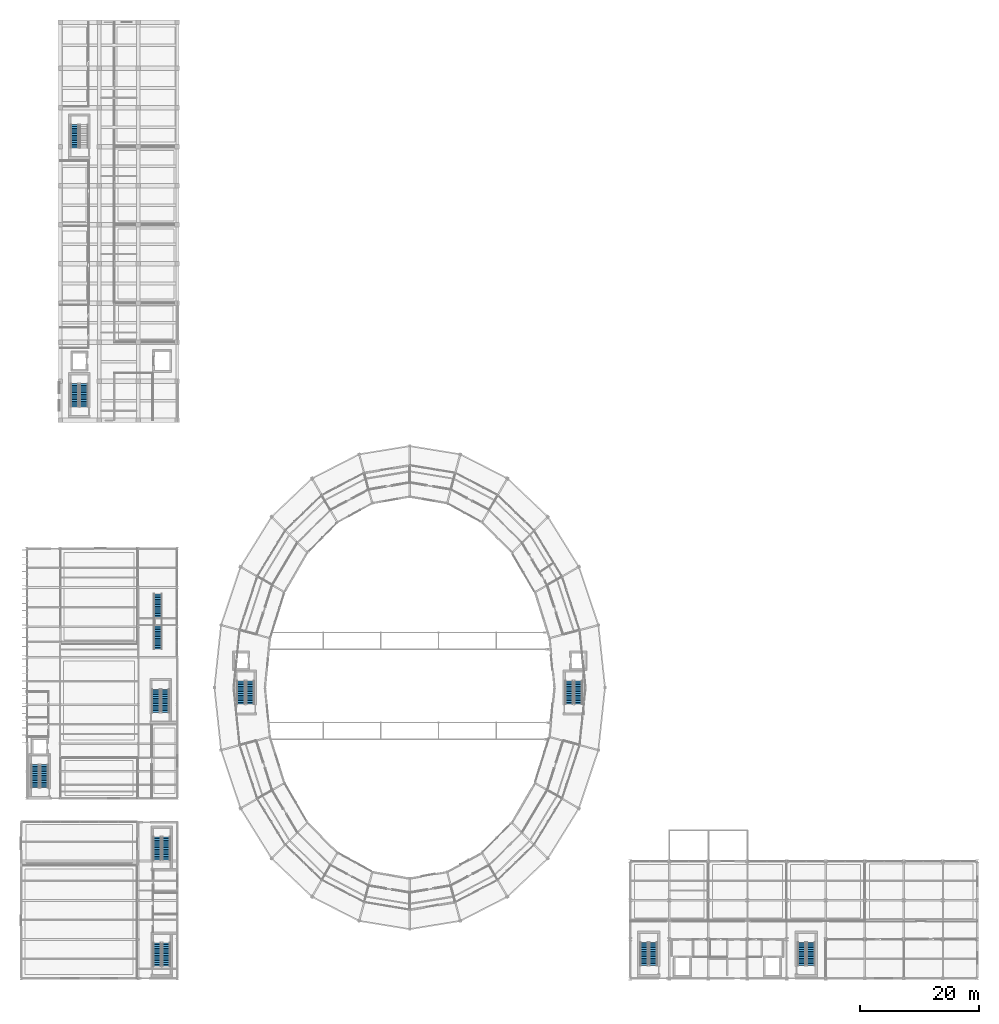
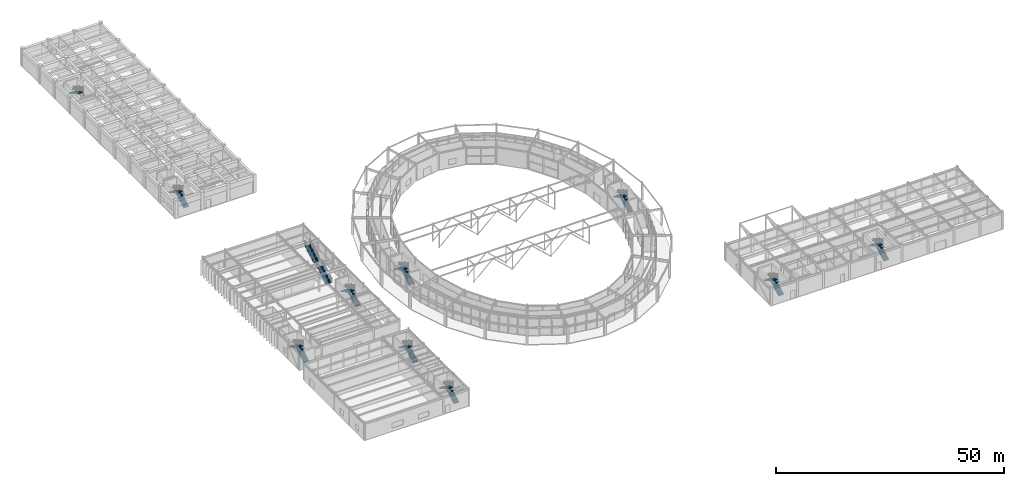
# One storey, part 131 of 144: 21 stair flights, 11 elements without a shape of their own.
"""IFC4 building model written with IfcOpenShell, lengths in metres."""

from ifc_helpers import new_model, si_unit, direction, frame, origin, place, context, subcontext, project, spatial, polyline, outline, extrude, material, type_object, element, aggregate, save


model = new_model("IFC4")

# Units and contexts
model_context = context("Model", 3, precision=1e-05, world=origin(), true_north=direction((0.0, 1.0)))
body_context = subcontext(model_context, "Body", "Model", "MODEL_VIEW")
ifc_project = project(units=[si_unit("LENGTHUNIT", "METRE"), si_unit("AREAUNIT", "SQUARE_METRE"), si_unit("VOLUMEUNIT", "CUBIC_METRE"), si_unit("PLANEANGLEUNIT", "RADIAN"), si_unit("MASSUNIT", "GRAM", prefix="KILO")], contexts=[model_context])

# Site, building, storey
site_placement = place(None, origin())
site = spatial("IfcSite", under=ifc_project, at=site_placement, CompositionType="ELEMENT")
building_placement = place(site_placement, origin())
building = spatial("IfcBuilding", under=site, at=building_placement, Name="Karori Crest Natural Sciences Institute", CompositionType="ELEMENT")
storey_placement = place(building_placement, origin())
storey = spatial("IfcBuildingStorey", under=building, at=storey_placement, Name="L00", CompositionType="ELEMENT", Elevation=0.0)

# Stair, stair flights
ifc_material = material(Name="Concrete 40 MPa", Category="concrete")
stair_type_1 = type_object("IfcStairType", Name="STT-02", PredefinedType="HALF_TURN_STAIR", material=ifc_material)
stair_1_placement = place(storey_placement, origin())
stair_1 = element("IfcStair", 1, at=stair_1_placement, inside=storey, type_object=stair_type_1, Name="Protected stair ST-01-L00", PredefinedType="HALF_TURN_STAIR")
stair_flight_type = type_object("IfcStairFlightType", Name="SFT-02", PredefinedType="STRAIGHT", material=ifc_material)
stair_flight_1_placement = place(storey_placement, frame((94.875, 47.10009765625, 0.0), z_axis=(0.0, 0.0, 1.0), x_axis=(0.0, 1.0, 0.0)))
stair_flight_1 = element("IfcStairFlight", 2, at=stair_flight_1_placement, type_object=stair_flight_type, Name="ST-01-L00 flight 1", NumberOfRisers=14, NumberOfTreads=13, PredefinedType="STRAIGHT", RiserHeight=0.175, TreadLength=0.3, context=body_context, shape_type="SweptSolid", body=[
    extrude(outline(polyline([(0.0, 0.0), (0.0, 0.175048828125), (0.300048828125, 0.175048828125), (0.300048828125, 0.35009765625), (0.60009765625, 0.35009765625), (0.60009765625, 0.52490234375), (0.89990234375, 0.52490234375), (0.89990234375, 0.699951171875), (1.199951171875, 0.699951171875), (1.199951171875, 0.875), (1.5, 0.875), (1.5, 1.050048828125), (1.800048828125, 1.050048828125), (1.800048828125, 1.22509765625), (2.10009765625, 1.22509765625), (2.10009765625, 1.39990234375), (2.39990234375, 1.39990234375), (2.39990234375, 1.574951171875), (2.699951171875, 1.574951171875), (2.699951171875, 1.75), (3.0, 1.75), (3.0, 1.925048828125), (3.300048828125, 1.925048828125), (3.300048828125, 2.10009765625), (3.60009765625, 2.10009765625), (3.60009765625, 2.27490234375), (3.89990234375, 2.27490234375), (3.89990234375, 2.449951171875), (3.89990234375, 2.08984375), (0.3173828125, 0.0), (0.0, 0.0)])), frame((0.0, 0.675048828125, 0.0), z_axis=(0.0, -1.0, 0.0), x_axis=(1.0, 0.0, 0.0)), (0.0, 0.0, 1.0), 1.35009765625),
])
stair_flight_2_placement = place(storey_placement, frame((93.324951171875, 51.0, 2.449951171875), z_axis=(0.0, 0.0, 1.0), x_axis=(0.0, -1.0, 0.0)))
stair_flight_2 = element("IfcStairFlight", 3, at=stair_flight_2_placement, type_object=stair_flight_type, Name="ST-01-L00 flight 2", NumberOfRisers=14, NumberOfTreads=13, PredefinedType="STRAIGHT", RiserHeight=0.175, TreadLength=0.3, context=body_context, shape_type="SweptSolid", body=[
    extrude(outline(polyline([(0.0, 0.0), (0.0, 0.175048828125), (0.300048828125, 0.175048828125), (0.300048828125, 0.35009765625), (0.60009765625, 0.35009765625), (0.60009765625, 0.52490234375), (0.89990234375, 0.52490234375), (0.89990234375, 0.699951171875), (1.199951171875, 0.699951171875), (1.199951171875, 0.875), (1.5, 0.875), (1.5, 1.050048828125), (1.800048828125, 1.050048828125), (1.800048828125, 1.22509765625), (2.10009765625, 1.22509765625), (2.10009765625, 1.39990234375), (2.39990234375, 1.39990234375), (2.39990234375, 1.574951171875), (2.699951171875, 1.574951171875), (2.699951171875, 1.75), (3.0, 1.75), (3.0, 1.925048828125), (3.300048828125, 1.925048828125), (3.300048828125, 2.10009765625), (3.60009765625, 2.10009765625), (3.60009765625, 2.27490234375), (3.89990234375, 2.27490234375), (3.89990234375, 2.449951171875), (3.89990234375, 2.08984375), (0.3173828125, 0.0), (0.0, 0.0)])), frame((0.0, 0.675048828125, 0.0), z_axis=(0.0, -1.0, 0.0), x_axis=(1.0, 0.0, 0.0)), (0.0, 0.0, 1.0), 1.35009765625),
])
aggregate(stair_1, [stair_flight_1, stair_flight_2])

stair_2_placement = place(storey_placement, origin())
stair_2 = element("IfcStair", 4, at=stair_2_placement, inside=storey, type_object=stair_type_1, Name="Protected stair ST-02-L00", PredefinedType="HALF_TURN_STAIR")
stair_flight_3_placement = place(storey_placement, frame((39.47509765625, 47.10009765625, 0.0), z_axis=(0.0, 0.0, 1.0), x_axis=(0.0, 1.0, 0.0)))
stair_flight_3 = element("IfcStairFlight", 5, at=stair_flight_3_placement, type_object=stair_flight_type, Name="ST-02-L00 flight 1", NumberOfRisers=14, NumberOfTreads=13, PredefinedType="STRAIGHT", RiserHeight=0.175, TreadLength=0.3, context=body_context, shape_type="SweptSolid", body=[
    extrude(outline(polyline([(0.0, 0.0), (0.0, 0.175048828125), (0.300048828125, 0.175048828125), (0.300048828125, 0.35009765625), (0.60009765625, 0.35009765625), (0.60009765625, 0.52490234375), (0.89990234375, 0.52490234375), (0.89990234375, 0.699951171875), (1.199951171875, 0.699951171875), (1.199951171875, 0.875), (1.5, 0.875), (1.5, 1.050048828125), (1.800048828125, 1.050048828125), (1.800048828125, 1.22509765625), (2.10009765625, 1.22509765625), (2.10009765625, 1.39990234375), (2.39990234375, 1.39990234375), (2.39990234375, 1.574951171875), (2.699951171875, 1.574951171875), (2.699951171875, 1.75), (3.0, 1.75), (3.0, 1.925048828125), (3.300048828125, 1.925048828125), (3.300048828125, 2.10009765625), (3.60009765625, 2.10009765625), (3.60009765625, 2.27490234375), (3.89990234375, 2.27490234375), (3.89990234375, 2.449951171875), (3.89990234375, 2.08984375), (0.3173828125, 0.0), (0.0, 0.0)])), frame((0.0, 0.675048828125, 0.0), z_axis=(0.0, -1.0, 0.0), x_axis=(1.0, 0.0, 0.0)), (0.0, 0.0, 1.0), 1.35009765625),
])
stair_flight_4_placement = place(storey_placement, frame((37.925048828125, 51.0, 2.449951171875), z_axis=(0.0, 0.0, 1.0), x_axis=(0.0, -1.0, 0.0)))
stair_flight_4 = element("IfcStairFlight", 6, at=stair_flight_4_placement, type_object=stair_flight_type, Name="ST-02-L00 flight 2", NumberOfRisers=14, NumberOfTreads=13, PredefinedType="STRAIGHT", RiserHeight=0.175, TreadLength=0.3, context=body_context, shape_type="SweptSolid", body=[
    extrude(outline(polyline([(0.0, 0.0), (0.0, 0.175048828125), (0.300048828125, 0.175048828125), (0.300048828125, 0.35009765625), (0.60009765625, 0.35009765625), (0.60009765625, 0.52490234375), (0.89990234375, 0.52490234375), (0.89990234375, 0.699951171875), (1.199951171875, 0.699951171875), (1.199951171875, 0.875), (1.5, 0.875), (1.5, 1.050048828125), (1.800048828125, 1.050048828125), (1.800048828125, 1.22509765625), (2.10009765625, 1.22509765625), (2.10009765625, 1.39990234375), (2.39990234375, 1.39990234375), (2.39990234375, 1.574951171875), (2.699951171875, 1.574951171875), (2.699951171875, 1.75), (3.0, 1.75), (3.0, 1.925048828125), (3.300048828125, 1.925048828125), (3.300048828125, 2.10009765625), (3.60009765625, 2.10009765625), (3.60009765625, 2.27490234375), (3.89990234375, 2.27490234375), (3.89990234375, 2.449951171875), (3.89990234375, 2.08984375), (0.3173828125, 0.0), (0.0, 0.0)])), frame((0.0, 0.675048828125, 0.0), z_axis=(0.0, -1.0, 0.0), x_axis=(1.0, 0.0, 0.0)), (0.0, 0.0, 1.0), 1.35009765625),
])
aggregate(stair_2, [stair_flight_3, stair_flight_4])

stair_3_placement = place(storey_placement, origin())
stair_3 = element("IfcStair", 7, at=stair_3_placement, inside=storey, type_object=stair_type_1, Name="Protected stair ST-03-L00", PredefinedType="HALF_TURN_STAIR")
stair_flight_5_placement = place(storey_placement, frame((107.52490234375, 3.0, 0.0), z_axis=(0.0, 0.0, 1.0), x_axis=(0.0, 1.0, 0.0)))
stair_flight_5 = element("IfcStairFlight", 8, at=stair_flight_5_placement, type_object=stair_flight_type, Name="ST-03-L00 flight 1", NumberOfRisers=14, NumberOfTreads=13, PredefinedType="STRAIGHT", RiserHeight=0.175, TreadLength=0.3, context=body_context, shape_type="SweptSolid", body=[
    extrude(outline(polyline([(0.0, 0.0), (0.0, 0.175048828125), (0.300048828125, 0.175048828125), (0.300048828125, 0.35009765625), (0.60009765625, 0.35009765625), (0.60009765625, 0.52490234375), (0.89990234375, 0.52490234375), (0.89990234375, 0.699951171875), (1.199951171875, 0.699951171875), (1.199951171875, 0.875), (1.5, 0.875), (1.5, 1.050048828125), (1.800048828125, 1.050048828125), (1.800048828125, 1.22509765625), (2.10009765625, 1.22509765625), (2.10009765625, 1.39990234375), (2.39990234375, 1.39990234375), (2.39990234375, 1.574951171875), (2.699951171875, 1.574951171875), (2.699951171875, 1.75), (3.0, 1.75), (3.0, 1.925048828125), (3.300048828125, 1.925048828125), (3.300048828125, 2.10009765625), (3.60009765625, 2.10009765625), (3.60009765625, 2.27490234375), (3.89990234375, 2.27490234375), (3.89990234375, 2.449951171875), (3.89990234375, 2.08984375), (0.3173828125, 0.0), (0.0, 0.0)])), frame((0.0, 0.675048828125, 0.0), z_axis=(0.0, -1.0, 0.0), x_axis=(1.0, 0.0, 0.0)), (0.0, 0.0, 1.0), 1.35009765625),
])
stair_flight_6_placement = place(storey_placement, frame((105.97509765625, 6.89990234375, 2.449951171875), z_axis=(0.0, 0.0, 1.0), x_axis=(0.0, -1.0, 0.0)))
stair_flight_6 = element("IfcStairFlight", 9, at=stair_flight_6_placement, type_object=stair_flight_type, Name="ST-03-L00 flight 2", NumberOfRisers=14, NumberOfTreads=13, PredefinedType="STRAIGHT", RiserHeight=0.175, TreadLength=0.3, context=body_context, shape_type="SweptSolid", body=[
    extrude(outline(polyline([(0.0, 0.0), (0.0, 0.175048828125), (0.300048828125, 0.175048828125), (0.300048828125, 0.35009765625), (0.60009765625, 0.35009765625), (0.60009765625, 0.52490234375), (0.89990234375, 0.52490234375), (0.89990234375, 0.699951171875), (1.199951171875, 0.699951171875), (1.199951171875, 0.875), (1.5, 0.875), (1.5, 1.050048828125), (1.800048828125, 1.050048828125), (1.800048828125, 1.22509765625), (2.10009765625, 1.22509765625), (2.10009765625, 1.39990234375), (2.39990234375, 1.39990234375), (2.39990234375, 1.574951171875), (2.699951171875, 1.574951171875), (2.699951171875, 1.75), (3.0, 1.75), (3.0, 1.925048828125), (3.300048828125, 1.925048828125), (3.300048828125, 2.10009765625), (3.60009765625, 2.10009765625), (3.60009765625, 2.27490234375), (3.89990234375, 2.27490234375), (3.89990234375, 2.449951171875), (3.89990234375, 2.08984375), (0.3173828125, 0.0), (0.0, 0.0)])), frame((0.0, 0.675048828125, 0.0), z_axis=(0.0, -1.0, 0.0), x_axis=(1.0, 0.0, 0.0)), (0.0, 0.0, 1.0), 1.35009765625),
])
aggregate(stair_3, [stair_flight_5, stair_flight_6])

stair_4_placement = place(storey_placement, origin())
stair_4 = element("IfcStair", 10, at=stair_4_placement, inside=storey, type_object=stair_type_1, Name="Protected stair ST-04-L00", PredefinedType="HALF_TURN_STAIR")
stair_flight_7_placement = place(storey_placement, frame((134.125, 3.0, 0.0), z_axis=(0.0, 0.0, 1.0), x_axis=(0.0, 1.0, 0.0)))
stair_flight_7 = element("IfcStairFlight", 11, at=stair_flight_7_placement, type_object=stair_flight_type, Name="ST-04-L00 flight 1", NumberOfRisers=14, NumberOfTreads=13, PredefinedType="STRAIGHT", RiserHeight=0.175, TreadLength=0.3, context=body_context, shape_type="SweptSolid", body=[
    extrude(outline(polyline([(0.0, 0.0), (0.0, 0.175048828125), (0.300048828125, 0.175048828125), (0.300048828125, 0.35009765625), (0.60009765625, 0.35009765625), (0.60009765625, 0.52490234375), (0.89990234375, 0.52490234375), (0.89990234375, 0.699951171875), (1.199951171875, 0.699951171875), (1.199951171875, 0.875), (1.5, 0.875), (1.5, 1.050048828125), (1.800048828125, 1.050048828125), (1.800048828125, 1.22509765625), (2.10009765625, 1.22509765625), (2.10009765625, 1.39990234375), (2.39990234375, 1.39990234375), (2.39990234375, 1.574951171875), (2.699951171875, 1.574951171875), (2.699951171875, 1.75), (3.0, 1.75), (3.0, 1.925048828125), (3.300048828125, 1.925048828125), (3.300048828125, 2.10009765625), (3.60009765625, 2.10009765625), (3.60009765625, 2.27490234375), (3.89990234375, 2.27490234375), (3.89990234375, 2.449951171875), (3.89990234375, 2.08984375), (0.3173828125, 0.0), (0.0, 0.0)])), frame((0.0, 0.675048828125, 0.0), z_axis=(0.0, -1.0, 0.0), x_axis=(1.0, 0.0, 0.0)), (0.0, 0.0, 1.0), 1.35009765625),
])
stair_flight_8_placement = place(storey_placement, frame((132.574951171875, 6.89990234375, 2.449951171875), z_axis=(0.0, 0.0, 1.0), x_axis=(0.0, -1.0, 0.0)))
stair_flight_8 = element("IfcStairFlight", 12, at=stair_flight_8_placement, type_object=stair_flight_type, Name="ST-04-L00 flight 2", NumberOfRisers=14, NumberOfTreads=13, PredefinedType="STRAIGHT", RiserHeight=0.175, TreadLength=0.3, context=body_context, shape_type="SweptSolid", body=[
    extrude(outline(polyline([(0.0, 0.0), (0.0, 0.175048828125), (0.300048828125, 0.175048828125), (0.300048828125, 0.35009765625), (0.60009765625, 0.35009765625), (0.60009765625, 0.52490234375), (0.89990234375, 0.52490234375), (0.89990234375, 0.699951171875), (1.199951171875, 0.699951171875), (1.199951171875, 0.875), (1.5, 0.875), (1.5, 1.050048828125), (1.800048828125, 1.050048828125), (1.800048828125, 1.22509765625), (2.10009765625, 1.22509765625), (2.10009765625, 1.39990234375), (2.39990234375, 1.39990234375), (2.39990234375, 1.574951171875), (2.699951171875, 1.574951171875), (2.699951171875, 1.75), (3.0, 1.75), (3.0, 1.925048828125), (3.300048828125, 1.925048828125), (3.300048828125, 2.10009765625), (3.60009765625, 2.10009765625), (3.60009765625, 2.27490234375), (3.89990234375, 2.27490234375), (3.89990234375, 2.449951171875), (3.89990234375, 2.08984375), (0.3173828125, 0.0), (0.0, 0.0)])), frame((0.0, 0.675048828125, 0.0), z_axis=(0.0, -1.0, 0.0), x_axis=(1.0, 0.0, 0.0)), (0.0, 0.0, 1.0), 1.35009765625),
])
aggregate(stair_4, [stair_flight_7, stair_flight_8])

stair_5_placement = place(storey_placement, origin())
stair_5 = element("IfcStair", 13, at=stair_5_placement, inside=storey, type_object=stair_type_1, Name="Protected stair ST-05-L00", PredefinedType="HALF_TURN_STAIR")
stair_flight_9_placement = place(storey_placement, frame((11.425048828125, 97.300048828125, 0.0), z_axis=(0.0, 0.0, 1.0), x_axis=(0.0, 1.0, 0.0)))
stair_flight_9 = element("IfcStairFlight", 14, at=stair_flight_9_placement, type_object=stair_flight_type, Name="ST-05-L00 flight 1", NumberOfRisers=14, NumberOfTreads=13, PredefinedType="STRAIGHT", RiserHeight=0.175, TreadLength=0.3, context=body_context, shape_type="SweptSolid", body=[
    extrude(outline(polyline([(0.0, 0.0), (0.0, 0.175048828125), (0.300048828125, 0.175048828125), (0.300048828125, 0.35009765625), (0.60009765625, 0.35009765625), (0.60009765625, 0.52490234375), (0.89990234375, 0.52490234375), (0.89990234375, 0.699951171875), (1.199951171875, 0.699951171875), (1.199951171875, 0.875), (1.5, 0.875), (1.5, 1.050048828125), (1.800048828125, 1.050048828125), (1.800048828125, 1.22509765625), (2.10009765625, 1.22509765625), (2.10009765625, 1.39990234375), (2.39990234375, 1.39990234375), (2.39990234375, 1.574951171875), (2.699951171875, 1.574951171875), (2.699951171875, 1.75), (3.0, 1.75), (3.0, 1.925048828125), (3.300048828125, 1.925048828125), (3.300048828125, 2.10009765625), (3.60009765625, 2.10009765625), (3.60009765625, 2.27490234375), (3.89990234375, 2.27490234375), (3.89990234375, 2.449951171875), (3.89990234375, 2.08984375), (0.3173828125, 0.0), (0.0, 0.0)])), frame((0.0, 0.675048828125, 0.0), z_axis=(0.0, -1.0, 0.0), x_axis=(1.0, 0.0, 0.0)), (0.0, 0.0, 1.0), 1.35009765625),
])
stair_flight_10_placement = place(storey_placement, frame((9.875, 101.199951171875, 2.449951171875), z_axis=(0.0, 0.0, 1.0), x_axis=(0.0, -1.0, 0.0)))
stair_flight_10 = element("IfcStairFlight", 15, at=stair_flight_10_placement, type_object=stair_flight_type, Name="ST-05-L00 flight 2", NumberOfRisers=14, NumberOfTreads=13, PredefinedType="STRAIGHT", RiserHeight=0.175, TreadLength=0.3, context=body_context, shape_type="SweptSolid", body=[
    extrude(outline(polyline([(0.0, 0.0), (0.0, 0.175048828125), (0.300048828125, 0.175048828125), (0.300048828125, 0.35009765625), (0.60009765625, 0.35009765625), (0.60009765625, 0.52490234375), (0.89990234375, 0.52490234375), (0.89990234375, 0.699951171875), (1.199951171875, 0.699951171875), (1.199951171875, 0.875), (1.5, 0.875), (1.5, 1.050048828125), (1.800048828125, 1.050048828125), (1.800048828125, 1.22509765625), (2.10009765625, 1.22509765625), (2.10009765625, 1.39990234375), (2.39990234375, 1.39990234375), (2.39990234375, 1.574951171875), (2.699951171875, 1.574951171875), (2.699951171875, 1.75), (3.0, 1.75), (3.0, 1.925048828125), (3.300048828125, 1.925048828125), (3.300048828125, 2.10009765625), (3.60009765625, 2.10009765625), (3.60009765625, 2.27490234375), (3.89990234375, 2.27490234375), (3.89990234375, 2.449951171875), (3.89990234375, 2.08984375), (0.3173828125, 0.0), (0.0, 0.0)])), frame((0.0, 0.675048828125, 0.0), z_axis=(0.0, -1.0, 0.0), x_axis=(1.0, 0.0, 0.0)), (0.0, 0.0, 1.0), 1.35009765625),
])
aggregate(stair_5, [stair_flight_9, stair_flight_10])

# Stair, stair flight
stair_6_placement = place(storey_placement, origin())
stair_6 = element("IfcStair", 16, at=stair_6_placement, inside=storey, type_object=stair_type_1, Name="Protected stair ST-06-L00", PredefinedType="HALF_TURN_STAIR")
stair_flight_11_placement = place(storey_placement, frame((9.875, 144.89990234375, 2.449951171875), z_axis=(0.0, 0.0, 1.0), x_axis=(0.0, -1.0, 0.0)))
stair_flight_11 = element("IfcStairFlight", 17, at=stair_flight_11_placement, type_object=stair_flight_type, Name="ST-06-L00 flight 2", NumberOfRisers=14, NumberOfTreads=13, PredefinedType="STRAIGHT", RiserHeight=0.175, TreadLength=0.3, context=body_context, shape_type="SweptSolid", body=[
    extrude(outline(polyline([(0.0, 0.0), (0.0, 0.175048828125), (0.300048828125, 0.175048828125), (0.300048828125, 0.35009765625), (0.60009765625, 0.35009765625), (0.60009765625, 0.52490234375), (0.89990234375, 0.52490234375), (0.89990234375, 0.699951171875), (1.199951171875, 0.699951171875), (1.199951171875, 0.875), (1.5, 0.875), (1.5, 1.050048828125), (1.800048828125, 1.050048828125), (1.800048828125, 1.22509765625), (2.10009765625, 1.22509765625), (2.10009765625, 1.39990234375), (2.39990234375, 1.39990234375), (2.39990234375, 1.574951171875), (2.699951171875, 1.574951171875), (2.699951171875, 1.75), (3.0, 1.75), (3.0, 1.925048828125), (3.300048828125, 1.925048828125), (3.300048828125, 2.10009765625), (3.60009765625, 2.10009765625), (3.60009765625, 2.27490234375), (3.89990234375, 2.27490234375), (3.89990234375, 2.449951171875), (3.89990234375, 2.08984375), (0.3173828125, 0.0), (0.0, 0.0)])), frame((0.0, 0.675048828125, 0.0), z_axis=(0.0, -1.0, 0.0), x_axis=(1.0, 0.0, 0.0)), (0.0, 0.0, 1.0), 1.35009765625),
])
aggregate(stair_6, [stair_flight_11])

# Stair, stair flights
stair_7_placement = place(storey_placement, origin())
stair_7 = element("IfcStair", 18, at=stair_7_placement, inside=storey, type_object=stair_type_1, Name="Protected stair ST-07-L00", PredefinedType="HALF_TURN_STAIR")
stair_flight_12_placement = place(storey_placement, frame((4.72509765625, 33.0, 0.0), z_axis=(0.0, 0.0, 1.0), x_axis=(0.0, 1.0, 0.0)))
stair_flight_12 = element("IfcStairFlight", 19, at=stair_flight_12_placement, type_object=stair_flight_type, Name="ST-07-L00 flight 1", NumberOfRisers=14, NumberOfTreads=13, PredefinedType="STRAIGHT", RiserHeight=0.175, TreadLength=0.3, context=body_context, shape_type="SweptSolid", body=[
    extrude(outline(polyline([(0.0, 0.0), (0.0, 0.175048828125), (0.300048828125, 0.175048828125), (0.300048828125, 0.35009765625), (0.60009765625, 0.35009765625), (0.60009765625, 0.52490234375), (0.89990234375, 0.52490234375), (0.89990234375, 0.699951171875), (1.199951171875, 0.699951171875), (1.199951171875, 0.875), (1.5, 0.875), (1.5, 1.050048828125), (1.800048828125, 1.050048828125), (1.800048828125, 1.22509765625), (2.10009765625, 1.22509765625), (2.10009765625, 1.39990234375), (2.39990234375, 1.39990234375), (2.39990234375, 1.574951171875), (2.699951171875, 1.574951171875), (2.699951171875, 1.75), (3.0, 1.75), (3.0, 1.925048828125), (3.300048828125, 1.925048828125), (3.300048828125, 2.10009765625), (3.60009765625, 2.10009765625), (3.60009765625, 2.27490234375), (3.89990234375, 2.27490234375), (3.89990234375, 2.449951171875), (3.89990234375, 2.08984375), (0.3173828125, 0.0), (0.0, 0.0)])), frame((0.0, 0.675048828125, 0.0), z_axis=(0.0, -1.0, 0.0), x_axis=(1.0, 0.0, 0.0)), (0.0, 0.0, 1.0), 1.35009765625),
])
stair_flight_13_placement = place(storey_placement, frame((3.175048828125, 36.89990234375, 2.449951171875), z_axis=(0.0, 0.0, 1.0), x_axis=(0.0, -1.0, 0.0)))
stair_flight_13 = element("IfcStairFlight", 20, at=stair_flight_13_placement, type_object=stair_flight_type, Name="ST-07-L00 flight 2", NumberOfRisers=14, NumberOfTreads=13, PredefinedType="STRAIGHT", RiserHeight=0.175, TreadLength=0.3, context=body_context, shape_type="SweptSolid", body=[
    extrude(outline(polyline([(0.0, 0.0), (0.0, 0.175048828125), (0.300048828125, 0.175048828125), (0.300048828125, 0.35009765625), (0.60009765625, 0.35009765625), (0.60009765625, 0.52490234375), (0.89990234375, 0.52490234375), (0.89990234375, 0.699951171875), (1.199951171875, 0.699951171875), (1.199951171875, 0.875), (1.5, 0.875), (1.5, 1.050048828125), (1.800048828125, 1.050048828125), (1.800048828125, 1.22509765625), (2.10009765625, 1.22509765625), (2.10009765625, 1.39990234375), (2.39990234375, 1.39990234375), (2.39990234375, 1.574951171875), (2.699951171875, 1.574951171875), (2.699951171875, 1.75), (3.0, 1.75), (3.0, 1.925048828125), (3.300048828125, 1.925048828125), (3.300048828125, 2.10009765625), (3.60009765625, 2.10009765625), (3.60009765625, 2.27490234375), (3.89990234375, 2.27490234375), (3.89990234375, 2.449951171875), (3.89990234375, 2.08984375), (0.3173828125, 0.0), (0.0, 0.0)])), frame((0.0, 0.675048828125, 0.0), z_axis=(0.0, -1.0, 0.0), x_axis=(1.0, 0.0, 0.0)), (0.0, 0.0, 1.0), 1.35009765625),
])
aggregate(stair_7, [stair_flight_12, stair_flight_13])

stair_8_placement = place(storey_placement, origin())
stair_8 = element("IfcStair", 21, at=stair_8_placement, inside=storey, type_object=stair_type_1, Name="Protected stair ST-08-L00", PredefinedType="HALF_TURN_STAIR")
stair_flight_14_placement = place(storey_placement, frame((25.125, 45.699951171875, 0.0), z_axis=(0.0, 0.0, 1.0), x_axis=(0.0, 1.0, 0.0)))
stair_flight_14 = element("IfcStairFlight", 22, at=stair_flight_14_placement, type_object=stair_flight_type, Name="ST-08-L00 flight 1", NumberOfRisers=14, NumberOfTreads=13, PredefinedType="STRAIGHT", RiserHeight=0.175, TreadLength=0.3, context=body_context, shape_type="SweptSolid", body=[
    extrude(outline(polyline([(0.0, 0.0), (0.0, 0.175048828125), (0.300048828125, 0.175048828125), (0.300048828125, 0.35009765625), (0.60009765625, 0.35009765625), (0.60009765625, 0.52490234375), (0.89990234375, 0.52490234375), (0.89990234375, 0.699951171875), (1.199951171875, 0.699951171875), (1.199951171875, 0.875), (1.5, 0.875), (1.5, 1.050048828125), (1.800048828125, 1.050048828125), (1.800048828125, 1.22509765625), (2.10009765625, 1.22509765625), (2.10009765625, 1.39990234375), (2.39990234375, 1.39990234375), (2.39990234375, 1.574951171875), (2.699951171875, 1.574951171875), (2.699951171875, 1.75), (3.0, 1.75), (3.0, 1.925048828125), (3.300048828125, 1.925048828125), (3.300048828125, 2.10009765625), (3.60009765625, 2.10009765625), (3.60009765625, 2.27490234375), (3.89990234375, 2.27490234375), (3.89990234375, 2.449951171875), (3.89990234375, 2.08984375), (0.3173828125, 0.0), (0.0, 0.0)])), frame((0.0, 0.675048828125, 0.0), z_axis=(0.0, -1.0, 0.0), x_axis=(1.0, 0.0, 0.0)), (0.0, 0.0, 1.0), 1.35009765625),
])
stair_flight_15_placement = place(storey_placement, frame((23.574951171875, 49.60009765625, 2.449951171875), z_axis=(0.0, 0.0, 1.0), x_axis=(0.0, -1.0, 0.0)))
stair_flight_15 = element("IfcStairFlight", 23, at=stair_flight_15_placement, type_object=stair_flight_type, Name="ST-08-L00 flight 2", NumberOfRisers=14, NumberOfTreads=13, PredefinedType="STRAIGHT", RiserHeight=0.175, TreadLength=0.3, context=body_context, shape_type="SweptSolid", body=[
    extrude(outline(polyline([(0.0, 0.0), (0.0, 0.175048828125), (0.300048828125, 0.175048828125), (0.300048828125, 0.35009765625), (0.60009765625, 0.35009765625), (0.60009765625, 0.52490234375), (0.89990234375, 0.52490234375), (0.89990234375, 0.699951171875), (1.199951171875, 0.699951171875), (1.199951171875, 0.875), (1.5, 0.875), (1.5, 1.050048828125), (1.800048828125, 1.050048828125), (1.800048828125, 1.22509765625), (2.10009765625, 1.22509765625), (2.10009765625, 1.39990234375), (2.39990234375, 1.39990234375), (2.39990234375, 1.574951171875), (2.699951171875, 1.574951171875), (2.699951171875, 1.75), (3.0, 1.75), (3.0, 1.925048828125), (3.300048828125, 1.925048828125), (3.300048828125, 2.10009765625), (3.60009765625, 2.10009765625), (3.60009765625, 2.27490234375), (3.89990234375, 2.27490234375), (3.89990234375, 2.449951171875), (3.89990234375, 2.08984375), (0.3173828125, 0.0), (0.0, 0.0)])), frame((0.0, 0.675048828125, 0.0), z_axis=(0.0, -1.0, 0.0), x_axis=(1.0, 0.0, 0.0)), (0.0, 0.0, 1.0), 1.35009765625),
])
aggregate(stair_8, [stair_flight_14, stair_flight_15])

stair_9_placement = place(storey_placement, origin())
stair_9 = element("IfcStair", 24, at=stair_9_placement, inside=storey, type_object=stair_type_1, Name="Protected stair ST-09-L00", PredefinedType="HALF_TURN_STAIR")
stair_flight_16_placement = place(storey_placement, frame((25.324951171875, 2.89990234375, 0.0), z_axis=(0.0, 0.0, 1.0), x_axis=(0.0, 1.0, 0.0)))
stair_flight_16 = element("IfcStairFlight", 25, at=stair_flight_16_placement, type_object=stair_flight_type, Name="ST-09-L00 flight 1", NumberOfRisers=14, NumberOfTreads=13, PredefinedType="STRAIGHT", RiserHeight=0.175, TreadLength=0.3, context=body_context, shape_type="SweptSolid", body=[
    extrude(outline(polyline([(0.0, 0.0), (0.0, 0.175048828125), (0.300048828125, 0.175048828125), (0.300048828125, 0.35009765625), (0.60009765625, 0.35009765625), (0.60009765625, 0.52490234375), (0.89990234375, 0.52490234375), (0.89990234375, 0.699951171875), (1.199951171875, 0.699951171875), (1.199951171875, 0.875), (1.5, 0.875), (1.5, 1.050048828125), (1.800048828125, 1.050048828125), (1.800048828125, 1.22509765625), (2.10009765625, 1.22509765625), (2.10009765625, 1.39990234375), (2.39990234375, 1.39990234375), (2.39990234375, 1.574951171875), (2.699951171875, 1.574951171875), (2.699951171875, 1.75), (3.0, 1.75), (3.0, 1.925048828125), (3.300048828125, 1.925048828125), (3.300048828125, 2.10009765625), (3.60009765625, 2.10009765625), (3.60009765625, 2.27490234375), (3.89990234375, 2.27490234375), (3.89990234375, 2.449951171875), (3.89990234375, 2.08984375), (0.3173828125, 0.0), (0.0, 0.0)])), frame((0.0, 0.675048828125, 0.0), z_axis=(0.0, -1.0, 0.0), x_axis=(1.0, 0.0, 0.0)), (0.0, 0.0, 1.0), 1.35009765625),
])
stair_flight_17_placement = place(storey_placement, frame((23.77490234375, 6.800048828125, 2.449951171875), z_axis=(0.0, 0.0, 1.0), x_axis=(0.0, -1.0, 0.0)))
stair_flight_17 = element("IfcStairFlight", 26, at=stair_flight_17_placement, type_object=stair_flight_type, Name="ST-09-L00 flight 2", NumberOfRisers=14, NumberOfTreads=13, PredefinedType="STRAIGHT", RiserHeight=0.175, TreadLength=0.3, context=body_context, shape_type="SweptSolid", body=[
    extrude(outline(polyline([(0.0, 0.0), (0.0, 0.175048828125), (0.300048828125, 0.175048828125), (0.300048828125, 0.35009765625), (0.60009765625, 0.35009765625), (0.60009765625, 0.52490234375), (0.89990234375, 0.52490234375), (0.89990234375, 0.699951171875), (1.199951171875, 0.699951171875), (1.199951171875, 0.875), (1.5, 0.875), (1.5, 1.050048828125), (1.800048828125, 1.050048828125), (1.800048828125, 1.22509765625), (2.10009765625, 1.22509765625), (2.10009765625, 1.39990234375), (2.39990234375, 1.39990234375), (2.39990234375, 1.574951171875), (2.699951171875, 1.574951171875), (2.699951171875, 1.75), (3.0, 1.75), (3.0, 1.925048828125), (3.300048828125, 1.925048828125), (3.300048828125, 2.10009765625), (3.60009765625, 2.10009765625), (3.60009765625, 2.27490234375), (3.89990234375, 2.27490234375), (3.89990234375, 2.449951171875), (3.89990234375, 2.08984375), (0.3173828125, 0.0), (0.0, 0.0)])), frame((0.0, 0.675048828125, 0.0), z_axis=(0.0, -1.0, 0.0), x_axis=(1.0, 0.0, 0.0)), (0.0, 0.0, 1.0), 1.35009765625),
])
aggregate(stair_9, [stair_flight_16, stair_flight_17])

stair_10_placement = place(storey_placement, origin())
stair_10 = element("IfcStair", 27, at=stair_10_placement, inside=storey, type_object=stair_type_1, Name="Protected stair ST-10-L00", PredefinedType="HALF_TURN_STAIR")
stair_flight_18_placement = place(storey_placement, frame((25.324951171875, 20.800048828125, 0.0), z_axis=(0.0, 0.0, 1.0), x_axis=(0.0, 1.0, 0.0)))
stair_flight_18 = element("IfcStairFlight", 28, at=stair_flight_18_placement, type_object=stair_flight_type, Name="ST-10-L00 flight 1", NumberOfRisers=14, NumberOfTreads=13, PredefinedType="STRAIGHT", RiserHeight=0.175, TreadLength=0.3, context=body_context, shape_type="SweptSolid", body=[
    extrude(outline(polyline([(0.0, 0.0), (0.0, 0.175048828125), (0.300048828125, 0.175048828125), (0.300048828125, 0.35009765625), (0.60009765625, 0.35009765625), (0.60009765625, 0.52490234375), (0.89990234375, 0.52490234375), (0.89990234375, 0.699951171875), (1.199951171875, 0.699951171875), (1.199951171875, 0.875), (1.5, 0.875), (1.5, 1.050048828125), (1.800048828125, 1.050048828125), (1.800048828125, 1.22509765625), (2.10009765625, 1.22509765625), (2.10009765625, 1.39990234375), (2.39990234375, 1.39990234375), (2.39990234375, 1.574951171875), (2.699951171875, 1.574951171875), (2.699951171875, 1.75), (3.0, 1.75), (3.0, 1.925048828125), (3.300048828125, 1.925048828125), (3.300048828125, 2.10009765625), (3.60009765625, 2.10009765625), (3.60009765625, 2.27490234375), (3.89990234375, 2.27490234375), (3.89990234375, 2.449951171875), (3.89990234375, 2.08984375), (0.3173828125, 0.0), (0.0, 0.0)])), frame((0.0, 0.675048828125, 0.0), z_axis=(0.0, -1.0, 0.0), x_axis=(1.0, 0.0, 0.0)), (0.0, 0.0, 1.0), 1.35009765625),
])
stair_flight_19_placement = place(storey_placement, frame((23.77490234375, 24.699951171875, 2.449951171875), z_axis=(0.0, 0.0, 1.0), x_axis=(0.0, -1.0, 0.0)))
stair_flight_19 = element("IfcStairFlight", 29, at=stair_flight_19_placement, type_object=stair_flight_type, Name="ST-10-L00 flight 2", NumberOfRisers=14, NumberOfTreads=13, PredefinedType="STRAIGHT", RiserHeight=0.175, TreadLength=0.3, context=body_context, shape_type="SweptSolid", body=[
    extrude(outline(polyline([(0.0, 0.0), (0.0, 0.175048828125), (0.300048828125, 0.175048828125), (0.300048828125, 0.35009765625), (0.60009765625, 0.35009765625), (0.60009765625, 0.52490234375), (0.89990234375, 0.52490234375), (0.89990234375, 0.699951171875), (1.199951171875, 0.699951171875), (1.199951171875, 0.875), (1.5, 0.875), (1.5, 1.050048828125), (1.800048828125, 1.050048828125), (1.800048828125, 1.22509765625), (2.10009765625, 1.22509765625), (2.10009765625, 1.39990234375), (2.39990234375, 1.39990234375), (2.39990234375, 1.574951171875), (2.699951171875, 1.574951171875), (2.699951171875, 1.75), (3.0, 1.75), (3.0, 1.925048828125), (3.300048828125, 1.925048828125), (3.300048828125, 2.10009765625), (3.60009765625, 2.10009765625), (3.60009765625, 2.27490234375), (3.89990234375, 2.27490234375), (3.89990234375, 2.449951171875), (3.89990234375, 2.08984375), (0.3173828125, 0.0), (0.0, 0.0)])), frame((0.0, 0.675048828125, 0.0), z_axis=(0.0, -1.0, 0.0), x_axis=(1.0, 0.0, 0.0)), (0.0, 0.0, 1.0), 1.35009765625),
])
aggregate(stair_10, [stair_flight_18, stair_flight_19])

stair_type_2 = type_object("IfcStairType", Name="STT-04", PredefinedType="STRAIGHT_RUN_STAIR", material=ifc_material)
stair_11_placement = place(storey_placement, origin())
stair_11 = element("IfcStair", 30, at=stair_11_placement, inside=storey, type_object=stair_type_2, Name="Feature straight stair ST-11", PredefinedType="STRAIGHT_RUN_STAIR")
stair_flight_20_placement = place(storey_placement, frame((23.89990234375, 56.39990234375, 0.0), z_axis=(0.0, 0.0, 1.0), x_axis=(0.0, 1.0, 0.0)))
stair_flight_20 = element("IfcStairFlight", 31, at=stair_flight_20_placement, type_object=stair_flight_type, Name="ST-11 flight 1", NumberOfRisers=14, NumberOfTreads=13, PredefinedType="STRAIGHT", RiserHeight=0.175, TreadLength=0.3, context=body_context, shape_type="SweptSolid", body=[
    extrude(outline(polyline([(0.0, 0.0), (0.0, 0.175048828125), (0.300048828125, 0.175048828125), (0.300048828125, 0.35009765625), (0.60009765625, 0.35009765625), (0.60009765625, 0.52490234375), (0.89990234375, 0.52490234375), (0.89990234375, 0.699951171875), (1.199951171875, 0.699951171875), (1.199951171875, 0.875), (1.5, 0.875), (1.5, 1.050048828125), (1.800048828125, 1.050048828125), (1.800048828125, 1.22509765625), (2.10009765625, 1.22509765625), (2.10009765625, 1.39990234375), (2.39990234375, 1.39990234375), (2.39990234375, 1.574951171875), (2.699951171875, 1.574951171875), (2.699951171875, 1.75), (3.0, 1.75), (3.0, 1.925048828125), (3.300048828125, 1.925048828125), (3.300048828125, 2.10009765625), (3.60009765625, 2.10009765625), (3.60009765625, 2.27490234375), (3.89990234375, 2.27490234375), (3.89990234375, 2.449951171875), (3.89990234375, 2.08984375), (0.3173828125, 0.0), (0.0, 0.0)])), frame((0.0, 0.675048828125, 0.0), z_axis=(0.0, -1.0, 0.0), x_axis=(1.0, 0.0, 0.0)), (0.0, 0.0, 1.0), 1.35009765625),
])
stair_flight_21_placement = place(storey_placement, frame((23.89990234375, 61.800048828125, 2.449951171875), z_axis=(0.0, 0.0, 1.0), x_axis=(0.0, 1.0, 0.0)))
stair_flight_21 = element("IfcStairFlight", 32, at=stair_flight_21_placement, type_object=stair_flight_type, Name="ST-11 flight 2", NumberOfRisers=14, NumberOfTreads=13, PredefinedType="STRAIGHT", RiserHeight=0.175, TreadLength=0.3, context=body_context, shape_type="SweptSolid", body=[
    extrude(outline(polyline([(0.0, 0.0), (0.0, 0.175048828125), (0.300048828125, 0.175048828125), (0.300048828125, 0.35009765625), (0.60009765625, 0.35009765625), (0.60009765625, 0.52490234375), (0.89990234375, 0.52490234375), (0.89990234375, 0.699951171875), (1.199951171875, 0.699951171875), (1.199951171875, 0.875), (1.5, 0.875), (1.5, 1.050048828125), (1.800048828125, 1.050048828125), (1.800048828125, 1.22509765625), (2.10009765625, 1.22509765625), (2.10009765625, 1.39990234375), (2.39990234375, 1.39990234375), (2.39990234375, 1.574951171875), (2.699951171875, 1.574951171875), (2.699951171875, 1.75), (3.0, 1.75), (3.0, 1.925048828125), (3.300048828125, 1.925048828125), (3.300048828125, 2.10009765625), (3.60009765625, 2.10009765625), (3.60009765625, 2.27490234375), (3.89990234375, 2.27490234375), (3.89990234375, 2.449951171875), (3.89990234375, 2.08984375), (0.3173828125, 0.0), (0.0, 0.0)])), frame((0.0, 0.675048828125, 0.0), z_axis=(0.0, -1.0, 0.0), x_axis=(1.0, 0.0, 0.0)), (0.0, 0.0, 1.0), 1.35009765625),
])
aggregate(stair_11, [stair_flight_20, stair_flight_21])

save(model, "model.ifc")
